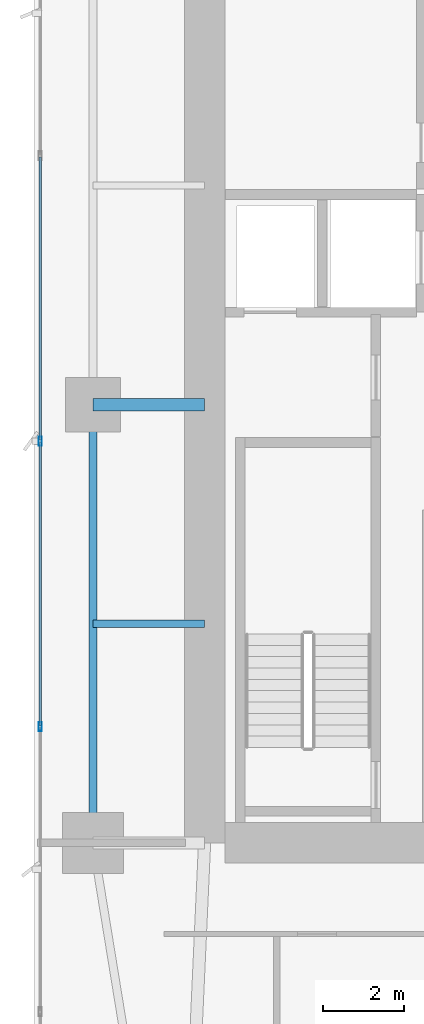
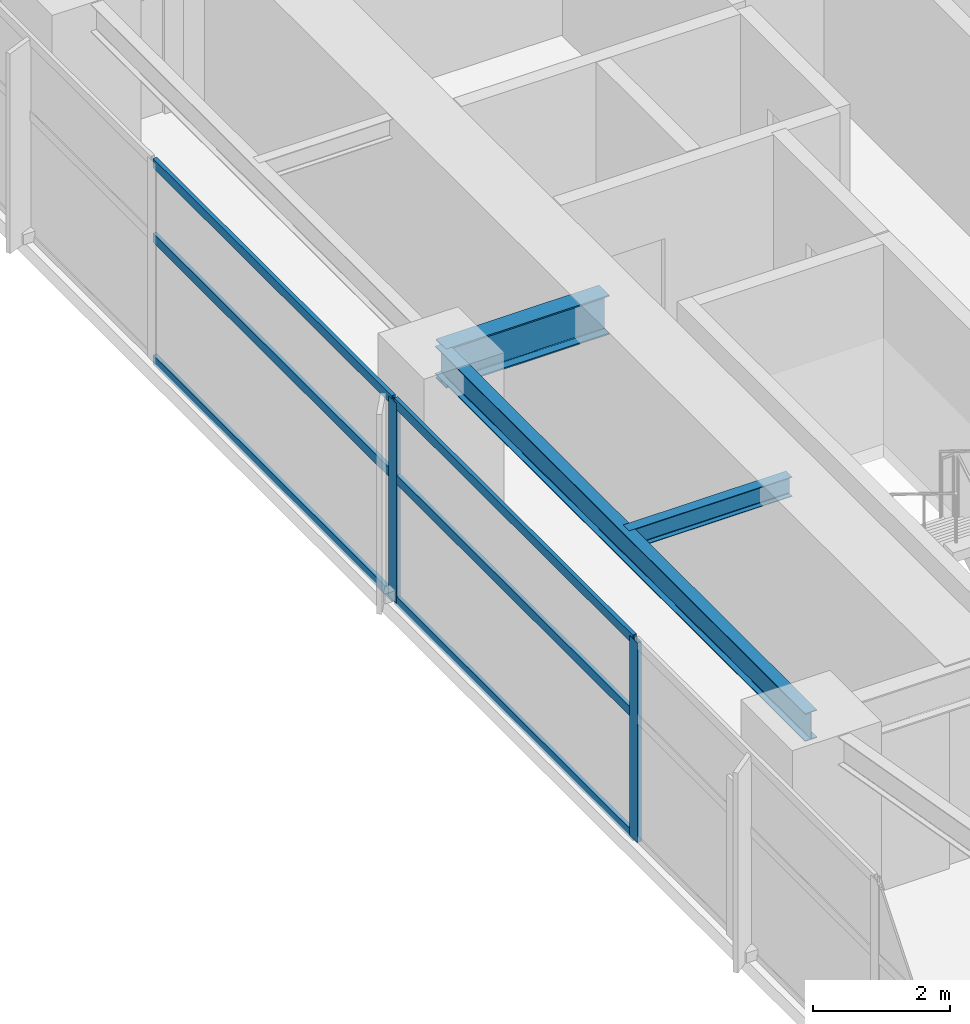
# One storey, part 8 of 30: 8 members, 3 beams, 1 element without a shape of its own.
"""IFC4 building model written with IfcOpenShell, lengths in metres."""

from ifc_helpers import new_model, si_unit, direction, frame, origin, origin_2d, place, context, subcontext, project, spatial, hollow_rectangle, i_section, extrude, material, layer, layer_set, material_profile, profile_set, type_object, element, aggregate, save


model = new_model("IFC4")

# Units and contexts
model_context = context("Model", 3, precision=1e-05, world=origin(), true_north=direction((0.0, 1.0)))
body_context = subcontext(model_context, "Body", "Model", "MODEL_VIEW")
ifc_project = project(units=[si_unit("LENGTHUNIT", "METRE"), si_unit("AREAUNIT", "SQUARE_METRE"), si_unit("VOLUMEUNIT", "CUBIC_METRE"), si_unit("PLANEANGLEUNIT", "RADIAN"), si_unit("MASSUNIT", "GRAM", prefix="KILO")], contexts=[model_context])

# Site, building, storey
site_placement = place(None, origin())
site = spatial("IfcSite", under=ifc_project, at=site_placement, CompositionType="ELEMENT")
building_placement = place(site_placement, origin())
building = spatial("IfcBuilding", under=site, at=building_placement, Name="Calvorn Quay Hotel", CompositionType="ELEMENT")
storey_placement = place(building_placement, frame((0.0, 0.0, 54.60009765625)))
storey = spatial("IfcBuildingStorey", under=building, at=storey_placement, Name="L12", CompositionType="ELEMENT", Elevation=54.60009765625)

# Beams
ifc_material_1 = material(Name="Steel Q390GJC", Category="steel")
ifc_material_profile_1 = material_profile(ifc_material_1, i_section(OverallWidth=0.300048828125, OverallDepth=0.699951171875, WebThickness=0.012939453125, FlangeThickness=0.02392578125, FilletRadius=0.02392578125, at=origin_2d()), Name="HN700x300x13x24")
ifc_profile_set_1 = profile_set([ifc_material_profile_1], Name="Steel Q390GJC")
beam_type_1 = type_object("IfcBeamType", Name="BM-GIRD-MAIN", PredefinedType="BEAM", material=ifc_profile_set_1)
beam_1_placement = place(storey_placement, frame((1.449951171875, 27.60009765625, 3.18994140625), z_axis=(1.0, 0.0, 0.0), x_axis=(0.0, 1.0, 0.0)))
element("IfcBeam", 1, at=beam_1_placement, inside=storey, type_object=beam_type_1, Name="Beam BG-L12-W2", PredefinedType="BEAM", context=body_context, shape_type="SweptSolid", body=[
    extrude(i_section(OverallWidth=0.300048828125, OverallDepth=0.699951171875, WebThickness=0.012939453125, FlangeThickness=0.02392578125, FilletRadius=0.02392578125, at=origin_2d()), origin(), (0.0, 0.0, 1.0), 2.75),
])
ifc_material_2 = material(Name="Steel Q355B", Category="steel")
ifc_material_profile_2 = material_profile(ifc_material_2, i_section(OverallWidth=0.175048828125, OverallDepth=0.35009765625, WebThickness=0.007080078125, FlangeThickness=0.010986328125, FilletRadius=0.013916015625, at=origin_2d()), Name="HN350x175x7x11")
ifc_profile_set_2 = profile_set([ifc_material_profile_2], Name="Steel Q355B")
beam_type_2 = type_object("IfcBeamType", Name="BM-JOIST-SEC", PredefinedType="JOIST", material=ifc_profile_set_2)
beam_2_placement = place(storey_placement, frame((1.449951171875, 22.199951171875, 3.364990234375), z_axis=(1.0, 0.0, 0.0), x_axis=(0.0, 1.0, 0.0)))
element("IfcBeam", 2, at=beam_2_placement, inside=storey, type_object=beam_type_2, Name="Beam BJ-L12-W3", PredefinedType="JOIST", context=body_context, shape_type="SweptSolid", body=[
    extrude(i_section(OverallWidth=0.175048828125, OverallDepth=0.35009765625, WebThickness=0.007080078125, FlangeThickness=0.010986328125, FilletRadius=0.013916015625, at=origin_2d()), origin(), (0.0, 0.0, 1.0), 2.75),
])
ifc_material_3 = material(Name="Steel Q355B", Category="steel")
ifc_material_profile_3 = material_profile(ifc_material_3, i_section(OverallWidth=0.199951171875, OverallDepth=0.5, WebThickness=0.010009765625, FlangeThickness=0.01611328125, FilletRadius=0.01611328125, at=origin_2d()), Name="HN500x200x10x16")
ifc_profile_set_3 = profile_set([ifc_material_profile_3], Name="Steel Q355B")
beam_type_3 = type_object("IfcBeamType", Name="BM-SPANDREL-Z1", PredefinedType="SPANDREL", material=ifc_profile_set_3)
beam_3_placement = place(storey_placement, frame((1.449951171875, 16.800048828125, 3.289794921875), z_axis=(0.0, 1.0, 0.0), x_axis=(-1.0, 0.0, 0.0)))
element("IfcBeam", 3, at=beam_3_placement, inside=storey, type_object=beam_type_3, Name="Beam BSP-L12-W2", PredefinedType="SPANDREL", context=body_context, shape_type="SweptSolid", body=[
    extrude(i_section(OverallWidth=0.199951171875, OverallDepth=0.5, WebThickness=0.010009765625, FlangeThickness=0.01611328125, FilletRadius=0.01611328125, at=origin_2d()), origin(), (0.0, 0.0, 1.0), 10.800048828125),
])

# Curtain wall, members
ifc_material_4 = material(Name="Pale Anodised Aluminium and Low-E Glass", Category="aluminium")
ifc_layer = layer(ifc_material_4, 0.219970703125)
ifc_layer_set = layer_set([ifc_layer], Name="CW-SYS-Z1")
curtain_wall_type = type_object("IfcCurtainWallType", Name="CW-SYS-Z1", PredefinedType="NOTDEFINED", material=ifc_layer_set)
curtain_wall_placement = place(storey_placement, origin())
curtain_wall = element("IfcCurtainWall", 4, at=curtain_wall_placement, inside=storey, type_object=curtain_wall_type, Name="Tower West Curtain Wall (L12)", PredefinedType="NOTDEFINED")
ifc_material_5 = material(Name="Pale Anodised Aluminium 6063-T6", Category="aluminium")
ifc_material_profile_4 = material_profile(ifc_material_5, hollow_rectangle(XDim=0.074951171875, YDim=0.219970703125, WallThickness=0.00439453125, at=origin_2d()), Name="ALU-M220x75x4.5")
ifc_profile_set_4 = profile_set([ifc_material_profile_4], Name="Pale Anodised Aluminium 6063-T6")
member_type_1 = type_object("IfcMemberType", Name="CW-SYS-Z1-MUL", PredefinedType="MULLION", material=ifc_profile_set_4)
member_1_placement = place(storey_placement, frame((0.14990234375, 19.666748046875, 0.0), z_axis=(0.0, 0.0, 1.0), x_axis=(-1.0, 0.0, 0.0)))
member_1 = element("IfcMember", 5, at=member_1_placement, type_object=member_type_1, Name="CW-L12-W mullion 3", PredefinedType="MULLION", context=body_context, shape_type="SweptSolid", body=[
    extrude(hollow_rectangle(XDim=0.074951171875, YDim=0.219970703125, WallThickness=0.00439453125, at=origin_2d()), origin(), (0.0, 0.0, 1.0), 3.559814453125),
])
member_2_placement = place(storey_placement, frame((0.14990234375, 26.699951171875, 0.0), z_axis=(0.0, 0.0, 1.0), x_axis=(-1.0, 0.0, 0.0)))
member_2 = element("IfcMember", 6, at=member_2_placement, type_object=member_type_1, Name="CW-L12-W mullion 4", PredefinedType="MULLION", context=body_context, shape_type="SweptSolid", body=[
    extrude(hollow_rectangle(XDim=0.074951171875, YDim=0.219970703125, WallThickness=0.00439453125, at=origin_2d()), origin(), (0.0, 0.0, 1.0), 3.559814453125),
])
ifc_material_6 = material(Name="Pale Anodised Aluminium 6063-T6", Category="aluminium")
ifc_material_profile_5 = material_profile(ifc_material_6, hollow_rectangle(XDim=0.06494140625, YDim=0.1650390625, WallThickness=0.00341796875, at=origin_2d()), Name="ALU-T165x65x3.5")
ifc_profile_set_5 = profile_set([ifc_material_profile_5], Name="Pale Anodised Aluminium 6063-T6")
member_type_2 = type_object("IfcMemberType", Name="CW-SYS-Z1-TRN", PredefinedType="USERDEFINED", material=ifc_profile_set_5)
member_3_placement = place(storey_placement, frame((0.14990234375, 19.69677734375, 0.02978515625), z_axis=(0.0, 1.0, 0.0), x_axis=(-1.0, 0.0, 0.0)))
member_3 = element("IfcMember", 7, at=member_3_placement, type_object=member_type_2, Name="CW-L12-W transom 3.1", ObjectType="TRANSOM", PredefinedType="USERDEFINED", context=body_context, shape_type="SweptSolid", body=[
    extrude(hollow_rectangle(XDim=0.06494140625, YDim=0.1650390625, WallThickness=0.00341796875, at=origin_2d()), origin(), (0.0, 0.0, 1.0), 6.97314453125),
])
member_4_placement = place(storey_placement, frame((0.14990234375, 19.69677734375, 2.199951171875), z_axis=(0.0, 1.0, 0.0), x_axis=(-1.0, 0.0, 0.0)))
member_4 = element("IfcMember", 8, at=member_4_placement, type_object=member_type_2, Name="CW-L12-W transom 3.2", ObjectType="TRANSOM", PredefinedType="USERDEFINED", context=body_context, shape_type="SweptSolid", body=[
    extrude(hollow_rectangle(XDim=0.06494140625, YDim=0.1650390625, WallThickness=0.00341796875, at=origin_2d()), origin(), (0.0, 0.0, 1.0), 6.97314453125),
])
member_5_placement = place(storey_placement, frame((0.14990234375, 19.69677734375, 3.52978515625), z_axis=(0.0, 1.0, 0.0), x_axis=(-1.0, 0.0, 0.0)))
member_5 = element("IfcMember", 9, at=member_5_placement, type_object=member_type_2, Name="CW-L12-W transom 3.3", ObjectType="TRANSOM", PredefinedType="USERDEFINED", context=body_context, shape_type="SweptSolid", body=[
    extrude(hollow_rectangle(XDim=0.06494140625, YDim=0.1650390625, WallThickness=0.00341796875, at=origin_2d()), origin(), (0.0, 0.0, 1.0), 6.97314453125),
])
member_6_placement = place(storey_placement, frame((0.14990234375, 26.72998046875, 0.02978515625), z_axis=(0.0, 1.0, 0.0), x_axis=(-1.0, 0.0, 0.0)))
member_6 = element("IfcMember", 10, at=member_6_placement, type_object=member_type_2, Name="CW-L12-W transom 4.1", ObjectType="TRANSOM", PredefinedType="USERDEFINED", context=body_context, shape_type="SweptSolid", body=[
    extrude(hollow_rectangle(XDim=0.06494140625, YDim=0.1650390625, WallThickness=0.00341796875, at=origin_2d()), origin(), (0.0, 0.0, 1.0), 6.973388671875),
])
member_7_placement = place(storey_placement, frame((0.14990234375, 26.72998046875, 2.199951171875), z_axis=(0.0, 1.0, 0.0), x_axis=(-1.0, 0.0, 0.0)))
member_7 = element("IfcMember", 11, at=member_7_placement, type_object=member_type_2, Name="CW-L12-W transom 4.2", ObjectType="TRANSOM", PredefinedType="USERDEFINED", context=body_context, shape_type="SweptSolid", body=[
    extrude(hollow_rectangle(XDim=0.06494140625, YDim=0.1650390625, WallThickness=0.00341796875, at=origin_2d()), origin(), (0.0, 0.0, 1.0), 6.973388671875),
])
member_8_placement = place(storey_placement, frame((0.14990234375, 26.72998046875, 3.52978515625), z_axis=(0.0, 1.0, 0.0), x_axis=(-1.0, 0.0, 0.0)))
member_8 = element("IfcMember", 12, at=member_8_placement, type_object=member_type_2, Name="CW-L12-W transom 4.3", ObjectType="TRANSOM", PredefinedType="USERDEFINED", context=body_context, shape_type="SweptSolid", body=[
    extrude(hollow_rectangle(XDim=0.06494140625, YDim=0.1650390625, WallThickness=0.00341796875, at=origin_2d()), origin(), (0.0, 0.0, 1.0), 6.973388671875),
])
aggregate(curtain_wall, [member_1, member_2, member_3, member_4, member_5, member_6, member_7, member_8])

save(model, "model.ifc")
